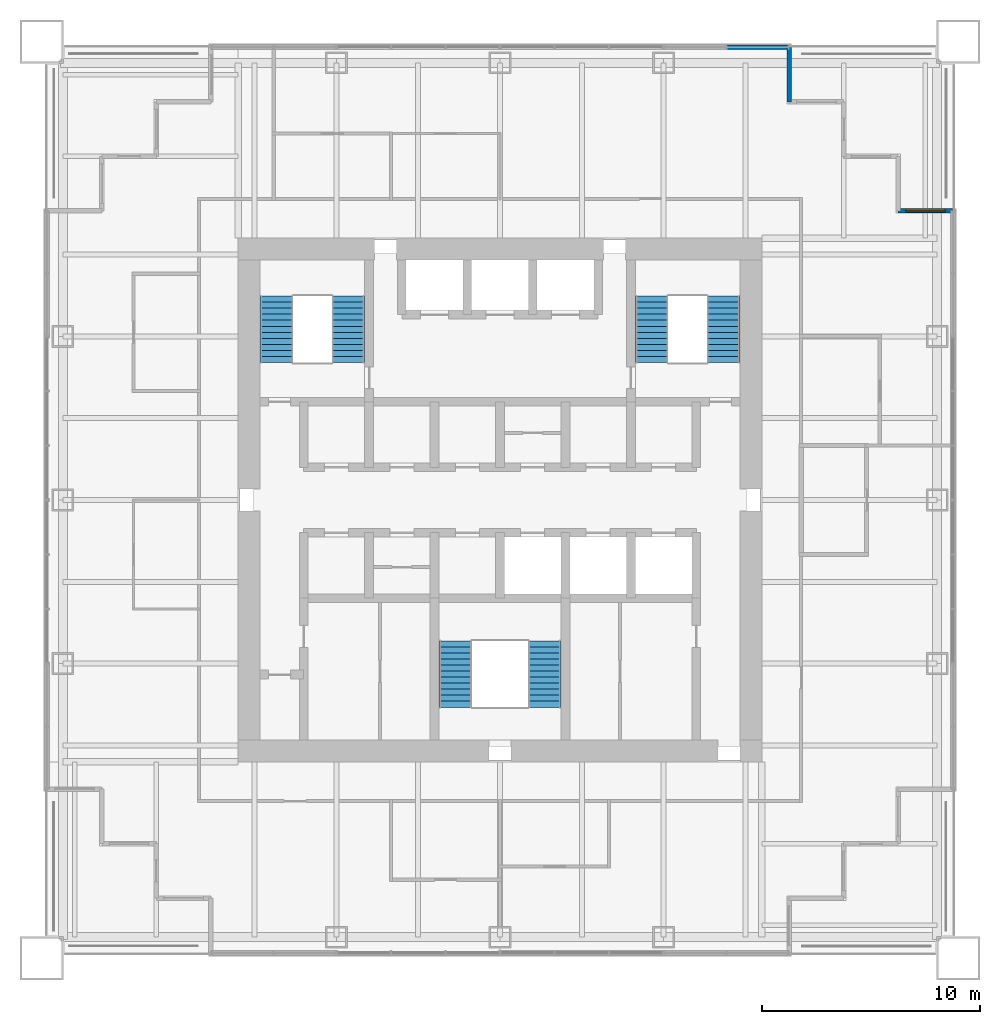
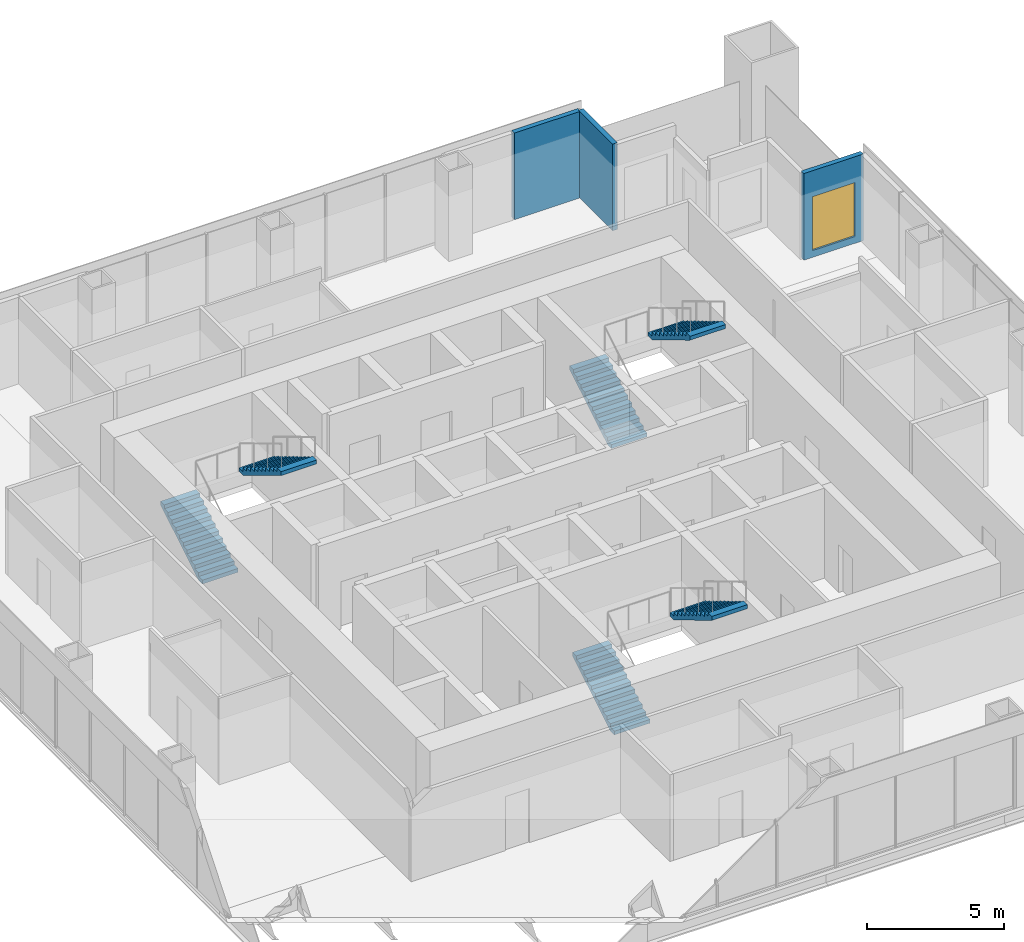
# One storey, part 12 of 14: 6 stair flights, 3 walls, 1 window, 1 opening, 3 elements without a shape of their own.
"""IFC4 building model written with IfcOpenShell, lengths in metres."""

from ifc_helpers import new_model, si_unit, direction, frame, frame_2d, origin, place, context, subcontext, project, spatial, polyline, rectangle, outline, extrude, material, layer, layer_set, type_object, element, fill, aggregate, save


model = new_model("IFC4")

# Units and contexts
model_context = context("Model", 3, precision=1e-05, world=origin(), true_north=direction((0.0, 1.0)))
body_context = subcontext(model_context, "Body", "Model", "MODEL_VIEW")
ifc_project = project(units=[si_unit("LENGTHUNIT", "METRE"), si_unit("AREAUNIT", "SQUARE_METRE"), si_unit("VOLUMEUNIT", "CUBIC_METRE"), si_unit("PLANEANGLEUNIT", "RADIAN"), si_unit("MASSUNIT", "GRAM", prefix="KILO")], contexts=[model_context])

# Site, building, storey
site_placement = place(None, origin())
site = spatial("IfcSite", under=ifc_project, at=site_placement, CompositionType="ELEMENT")
building_placement = place(site_placement, origin())
building = spatial("IfcBuilding", under=site, at=building_placement, Name="Tarangal Relay Tower", CompositionType="ELEMENT")
storey_placement = place(building_placement, frame((0.0, 0.0, 267.89990234375)))
storey = spatial("IfcBuildingStorey", under=building, at=storey_placement, Name="L58", CompositionType="ELEMENT", Elevation=267.89990234375)

# Wall
ifc_material_1 = material(Name="Black metal clad insulated wall", Category="steel")
ifc_layer_1 = layer(ifc_material_1, 0.199951171875)
ifc_layer_set_1 = layer_set([ifc_layer_1], Name="Corner wall metal clad 200")
wall_type_1 = type_object("IfcWallType", Name="Corner wall metal clad 200", PredefinedType="SOLIDWALL", material=ifc_layer_set_1)
wall_1_placement = place(storey_placement, frame((13.25, 20.75, 0.0), z_axis=(0.0, 0.0, 1.0), x_axis=(0.0, -1.0, 0.0)))
element("IfcWall", 1, at=wall_1_placement, inside=storey, type_object=wall_type_1, Name="Facade wall N facade L58", PredefinedType="SOLIDWALL", context=body_context, shape_type="SweptSolid", body=[
    extrude(rectangle(XDim=2.5, YDim=0.199951171875, at=frame_2d((1.25, 0.0))), origin(), (0.0, 0.0, 1.0), 3.85009765625),
])

# Wall, opening, window
wall_2_placement = place(storey_placement, frame((18.25, 13.25, 0.0), z_axis=(0.0, 0.0, 1.0), x_axis=(1.0, 0.0, 0.0)))
wall_2 = element("IfcWall", 2, at=wall_2_placement, inside=storey, type_object=wall_type_1, Name="Facade wall N facade L58", PredefinedType="SOLIDWALL", context=body_context, shape_type="SweptSolid", body=[
    extrude(rectangle(XDim=2.5, YDim=0.199951171875, at=frame_2d((1.25, 0.0))), origin(), (0.0, 0.0, 1.0), 3.85009765625),
])
opening_placement = place(wall_2_placement, frame((0.35009765625, 0.0, 0.300048828125)))
opening = element("IfcOpeningElement", 3, at=opening_placement, cuts=wall_2, Name="Opening WN2", PredefinedType="OPENING", context=body_context, shape_type="SweptSolid", body=[
    extrude(rectangle(XDim=1.800048828125, YDim=2.39990234375, at=frame_2d((0.89990234375, 1.199951171875))), frame((0.0, 0.10986328125, 0.0), z_axis=(0.0, -1.0, 0.0), x_axis=(1.0, 0.0, 0.0)), (0.0, 0.0, 1.0), 0.219970703125),
])
ifc_material_2 = material(Name="Dark tinted double glazing in black aluminium frame", Category="aluminium")
window_type = type_object("IfcWindowType", Name="Corner window 1800 x 2400", PartitioningType="SINGLE_PANEL", PredefinedType="WINDOW", material=ifc_material_2)
window_placement = place(opening_placement, origin())
window = element("IfcWindow", 4, at=window_placement, inside=storey, type_object=window_type, Name="Corner window WN2 N facade L58", OverallHeight=2.39990234375, OverallWidth=1.800048828125, PartitioningType="SINGLE_PANEL", PredefinedType="WINDOW", context=body_context, shape_type="SweptSolid", body=[
    extrude(rectangle(XDim=1.800048828125, YDim=2.39990234375, at=frame_2d((0.89990234375, 1.199951171875))), frame((0.0, 0.030029296875, 0.0), z_axis=(0.0, -1.0, 0.0), x_axis=(1.0, 0.0, 0.0)), (0.0, 0.0, 1.0), 0.06005859375),
])
fill(opening, window)

# Wall
ifc_layer_2 = layer(ifc_material_1, 0.199951171875)
ifc_layer_set_2 = layer_set([ifc_layer_2], Name="Facade infill wall metal clad 200")
wall_type_2 = type_object("IfcWallType", Name="Facade infill wall metal clad 200", PredefinedType="SOLIDWALL", material=ifc_layer_set_2)
wall_3_placement = place(storey_placement, frame((10.405029296875, 20.75, 0.0), z_axis=(0.0, 0.0, 1.0), x_axis=(1.0, 0.0, 0.0)))
element("IfcWall", 5, at=wall_3_placement, inside=storey, type_object=wall_type_2, Name="Facade infill wall N facade L58 2.1", PredefinedType="SOLIDWALL", context=body_context, shape_type="SweptSolid", body=[
    extrude(rectangle(XDim=2.784912109375, YDim=0.199951171875, at=frame_2d((1.392578125, 0.0))), origin(), (0.0, 0.0, 1.0), 3.85009765625),
])

# Stair, stair flights
ifc_material_3 = material(Name="Steel ASTM A992 stair flight", Category="steel")
stair_type = type_object("IfcStairType", Name="Core stair 1500", PredefinedType="HALF_TURN_STAIR", material=ifc_material_3)
stair_1_placement = place(storey_placement, origin())
stair_1 = element("IfcStair", 6, at=stair_1_placement, inside=storey, type_object=stair_type, Name="Stair ST-A L58", PredefinedType="HALF_TURN_STAIR")
stair_flight_type = type_object("IfcStairFlightType", Name="Steel stair flight 1500, 12 risers 167 x 277", PredefinedType="STRAIGHT", material=ifc_material_3)
stair_flight_1_placement = place(storey_placement, frame((-10.25, 6.300048828125, 0.0), z_axis=(0.0, 0.0, 1.0), x_axis=(0.0, 1.0, 0.0)))
stair_flight_1 = element("IfcStairFlight", 7, at=stair_flight_1_placement, type_object=stair_flight_type, Name="ST-A flight 1", NumberOfRisers=12, NumberOfTreads=11, PredefinedType="STRAIGHT", RiserHeight=0.166666667, TreadLength=0.277, context=body_context, shape_type="SweptSolid", body=[
    extrude(outline(polyline([(0.0, 0.0), (0.0, 0.166748046875), (0.277099609375, 0.166748046875), (0.277099609375, 0.333251953125), (0.553955078125, 0.333251953125), (0.553955078125, 0.5), (0.8310546875, 0.5), (0.8310546875, 0.666748046875), (1.10791015625, 0.666748046875), (1.10791015625, 0.833251953125), (1.385009765625, 0.833251953125), (1.385009765625, 1.0), (1.662109375, 1.0), (1.662109375, 1.166748046875), (1.93896484375, 1.166748046875), (1.93896484375, 1.333251953125), (2.216064453125, 1.333251953125), (2.216064453125, 1.5), (2.492919921875, 1.5), (2.492919921875, 1.666748046875), (2.77001953125, 1.666748046875), (2.77001953125, 1.833251953125), (3.047119140625, 1.833251953125), (3.047119140625, 2.0), (3.047119140625, 1.658447265625), (0.290771484375, 0.0), (0.0, 0.0)])), frame((0.0, 0.75, 0.0), z_axis=(0.0, -1.0, 0.0), x_axis=(1.0, 0.0, 0.0)), (0.0, 0.0, 1.0), 1.5),
])
stair_flight_2_placement = place(storey_placement, frame((-6.949951171875, 9.346923828125, 2.0), z_axis=(0.0, 0.0, 1.0), x_axis=(0.0, -1.0, 0.0)))
stair_flight_2 = element("IfcStairFlight", 8, at=stair_flight_2_placement, type_object=stair_flight_type, Name="ST-A flight 2", NumberOfRisers=12, NumberOfTreads=11, PredefinedType="STRAIGHT", RiserHeight=0.166666667, TreadLength=0.277, context=body_context, shape_type="SweptSolid", body=[
    extrude(outline(polyline([(0.0, 0.0), (0.0, 0.166748046875), (0.277099609375, 0.166748046875), (0.277099609375, 0.333251953125), (0.553955078125, 0.333251953125), (0.553955078125, 0.5), (0.8310546875, 0.5), (0.8310546875, 0.666748046875), (1.10791015625, 0.666748046875), (1.10791015625, 0.833251953125), (1.385009765625, 0.833251953125), (1.385009765625, 1.0), (1.662109375, 1.0), (1.662109375, 1.166748046875), (1.93896484375, 1.166748046875), (1.93896484375, 1.333251953125), (2.216064453125, 1.333251953125), (2.216064453125, 1.5), (2.492919921875, 1.5), (2.492919921875, 1.666748046875), (2.77001953125, 1.666748046875), (2.77001953125, 1.833251953125), (3.047119140625, 1.833251953125), (3.047119140625, 2.0), (3.047119140625, 1.658447265625), (0.290771484375, 0.0), (0.0, 0.0)])), frame((0.0, 0.75, 0.0), z_axis=(0.0, -1.0, 0.0), x_axis=(1.0, 0.0, 0.0)), (0.0, 0.0, 1.0), 1.5),
])
aggregate(stair_1, [stair_flight_1, stair_flight_2])

stair_2_placement = place(storey_placement, origin())
stair_2 = element("IfcStair", 9, at=stair_2_placement, inside=storey, type_object=stair_type, Name="Stair ST-B L58", PredefinedType="HALF_TURN_STAIR")
stair_flight_3_placement = place(storey_placement, frame((6.949951171875, 6.300048828125, 0.0), z_axis=(0.0, 0.0, 1.0), x_axis=(0.0, 1.0, 0.0)))
stair_flight_3 = element("IfcStairFlight", 10, at=stair_flight_3_placement, type_object=stair_flight_type, Name="ST-B flight 1", NumberOfRisers=12, NumberOfTreads=11, PredefinedType="STRAIGHT", RiserHeight=0.166666667, TreadLength=0.277, context=body_context, shape_type="SweptSolid", body=[
    extrude(outline(polyline([(0.0, 0.0), (0.0, 0.166748046875), (0.277099609375, 0.166748046875), (0.277099609375, 0.333251953125), (0.553955078125, 0.333251953125), (0.553955078125, 0.5), (0.8310546875, 0.5), (0.8310546875, 0.666748046875), (1.10791015625, 0.666748046875), (1.10791015625, 0.833251953125), (1.385009765625, 0.833251953125), (1.385009765625, 1.0), (1.662109375, 1.0), (1.662109375, 1.166748046875), (1.93896484375, 1.166748046875), (1.93896484375, 1.333251953125), (2.216064453125, 1.333251953125), (2.216064453125, 1.5), (2.492919921875, 1.5), (2.492919921875, 1.666748046875), (2.77001953125, 1.666748046875), (2.77001953125, 1.833251953125), (3.047119140625, 1.833251953125), (3.047119140625, 2.0), (3.047119140625, 1.658447265625), (0.290771484375, 0.0), (0.0, 0.0)])), frame((0.0, 0.75, 0.0), z_axis=(0.0, -1.0, 0.0), x_axis=(1.0, 0.0, 0.0)), (0.0, 0.0, 1.0), 1.5),
])
stair_flight_4_placement = place(storey_placement, frame((10.25, 9.346923828125, 2.0), z_axis=(0.0, 0.0, 1.0), x_axis=(0.0, -1.0, 0.0)))
stair_flight_4 = element("IfcStairFlight", 11, at=stair_flight_4_placement, type_object=stair_flight_type, Name="ST-B flight 2", NumberOfRisers=12, NumberOfTreads=11, PredefinedType="STRAIGHT", RiserHeight=0.166666667, TreadLength=0.277, context=body_context, shape_type="SweptSolid", body=[
    extrude(outline(polyline([(0.0, 0.0), (0.0, 0.166748046875), (0.277099609375, 0.166748046875), (0.277099609375, 0.333251953125), (0.553955078125, 0.333251953125), (0.553955078125, 0.5), (0.8310546875, 0.5), (0.8310546875, 0.666748046875), (1.10791015625, 0.666748046875), (1.10791015625, 0.833251953125), (1.385009765625, 0.833251953125), (1.385009765625, 1.0), (1.662109375, 1.0), (1.662109375, 1.166748046875), (1.93896484375, 1.166748046875), (1.93896484375, 1.333251953125), (2.216064453125, 1.333251953125), (2.216064453125, 1.5), (2.492919921875, 1.5), (2.492919921875, 1.666748046875), (2.77001953125, 1.666748046875), (2.77001953125, 1.833251953125), (3.047119140625, 1.833251953125), (3.047119140625, 2.0), (3.047119140625, 1.658447265625), (0.290771484375, 0.0), (0.0, 0.0)])), frame((0.0, 0.75, 0.0), z_axis=(0.0, -1.0, 0.0), x_axis=(1.0, 0.0, 0.0)), (0.0, 0.0, 1.0), 1.5),
])
aggregate(stair_2, [stair_flight_3, stair_flight_4])

stair_3_placement = place(storey_placement, origin())
stair_3 = element("IfcStair", 12, at=stair_3_placement, inside=storey, type_object=stair_type, Name="Stair ST-C L58", PredefinedType="HALF_TURN_STAIR")
stair_flight_5_placement = place(storey_placement, frame((-2.050048828125, -9.5, 0.0), z_axis=(0.0, 0.0, 1.0), x_axis=(0.0, 1.0, 0.0)))
stair_flight_5 = element("IfcStairFlight", 13, at=stair_flight_5_placement, type_object=stair_flight_type, Name="ST-C flight 1", NumberOfRisers=12, NumberOfTreads=11, PredefinedType="STRAIGHT", RiserHeight=0.166666667, TreadLength=0.277, context=body_context, shape_type="SweptSolid", body=[
    extrude(outline(polyline([(0.0, 0.0), (0.0, 0.166748046875), (0.277099609375, 0.166748046875), (0.277099609375, 0.333251953125), (0.553955078125, 0.333251953125), (0.553955078125, 0.5), (0.8310546875, 0.5), (0.8310546875, 0.666748046875), (1.10791015625, 0.666748046875), (1.10791015625, 0.833251953125), (1.385009765625, 0.833251953125), (1.385009765625, 1.0), (1.662109375, 1.0), (1.662109375, 1.166748046875), (1.93896484375, 1.166748046875), (1.93896484375, 1.333251953125), (2.216064453125, 1.333251953125), (2.216064453125, 1.5), (2.492919921875, 1.5), (2.492919921875, 1.666748046875), (2.77001953125, 1.666748046875), (2.77001953125, 1.833251953125), (3.047119140625, 1.833251953125), (3.047119140625, 2.0), (3.047119140625, 1.658447265625), (0.290771484375, 0.0), (0.0, 0.0)])), frame((0.0, 0.75, 0.0), z_axis=(0.0, -1.0, 0.0), x_axis=(1.0, 0.0, 0.0)), (0.0, 0.0, 1.0), 1.5),
])
stair_flight_6_placement = place(storey_placement, frame((2.050048828125, -6.452880859375, 2.0), z_axis=(0.0, 0.0, 1.0), x_axis=(0.0, -1.0, 0.0)))
stair_flight_6 = element("IfcStairFlight", 14, at=stair_flight_6_placement, type_object=stair_flight_type, Name="ST-C flight 2", NumberOfRisers=12, NumberOfTreads=11, PredefinedType="STRAIGHT", RiserHeight=0.166666667, TreadLength=0.277, context=body_context, shape_type="SweptSolid", body=[
    extrude(outline(polyline([(0.0, 0.0), (0.0, 0.166748046875), (0.277099609375, 0.166748046875), (0.277099609375, 0.333251953125), (0.553955078125, 0.333251953125), (0.553955078125, 0.5), (0.8310546875, 0.5), (0.8310546875, 0.666748046875), (1.10791015625, 0.666748046875), (1.10791015625, 0.833251953125), (1.385009765625, 0.833251953125), (1.385009765625, 1.0), (1.662109375, 1.0), (1.662109375, 1.166748046875), (1.93896484375, 1.166748046875), (1.93896484375, 1.333251953125), (2.216064453125, 1.333251953125), (2.216064453125, 1.5), (2.492919921875, 1.5), (2.492919921875, 1.666748046875), (2.77001953125, 1.666748046875), (2.77001953125, 1.833251953125), (3.047119140625, 1.833251953125), (3.047119140625, 2.0), (3.047119140625, 1.658447265625), (0.290771484375, 0.0), (0.0, 0.0)])), frame((0.0, 0.75, 0.0), z_axis=(0.0, -1.0, 0.0), x_axis=(1.0, 0.0, 0.0)), (0.0, 0.0, 1.0), 1.5),
])
aggregate(stair_3, [stair_flight_5, stair_flight_6])

save(model, "model.ifc")
